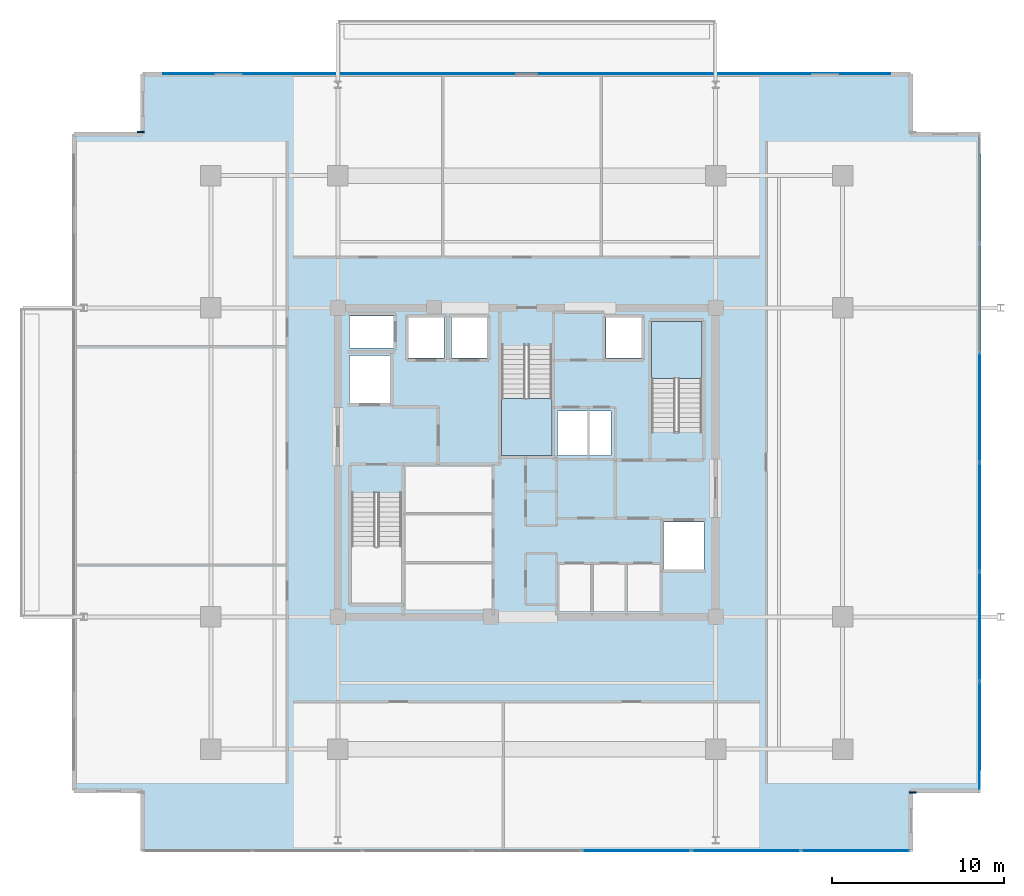
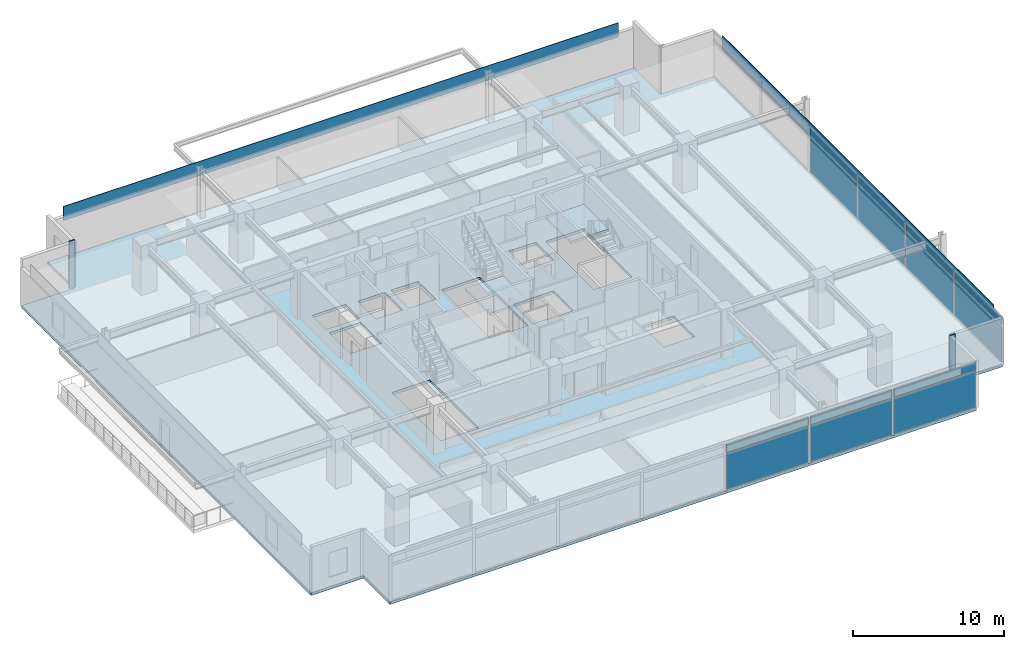
# One storey, part 13 of 21: 18 plates, 3 slabs, 4 elements without a shape of their own.
"""IFC4 building model written with IfcOpenShell, lengths in metres."""

from ifc_helpers import new_model, si_unit, direction, frame, origin, origin_2d, place, context, subcontext, project, spatial, polyline, rectangle, outline, extrude, material, layer, layer_set, type_object, element, aggregate, save


model = new_model("IFC4")

# Units and contexts
model_context = context("Model", 3, precision=1e-05, world=origin(), true_north=direction((0.0, 1.0)))
body_context = subcontext(model_context, "Body", "Model", "MODEL_VIEW")
ifc_project = project(units=[si_unit("LENGTHUNIT", "METRE"), si_unit("AREAUNIT", "SQUARE_METRE"), si_unit("VOLUMEUNIT", "CUBIC_METRE"), si_unit("PLANEANGLEUNIT", "RADIAN"), si_unit("MASSUNIT", "GRAM", prefix="KILO")], contexts=[model_context])

# Site, building, storey
site_placement = place(None, origin())
site = spatial("IfcSite", under=ifc_project, at=site_placement, CompositionType="ELEMENT")
building_placement = place(site_placement, origin())
building = spatial("IfcBuilding", under=site, at=building_placement, Name="Kovane Verandah Tower", CompositionType="ELEMENT")
storey_placement = place(building_placement, frame((0.0, 0.0, 247.199951171875)))
storey = spatial("IfcBuildingStorey", under=building, at=storey_placement, Name="L57", CompositionType="ELEMENT", Elevation=247.199951171875)

# Curtain wall, plates
ifc_material_1 = material(Name="Champagne Anodised Aluminium Frame with Low-E Clear Laminated Glass", Category="aluminium")
curtain_wall_type = type_object("IfcCurtainWallType", Name="CW-SYS-05-HIGH", PredefinedType="NOTDEFINED", material=ifc_material_1)
curtain_wall_1_placement = place(storey_placement, origin())
curtain_wall_1 = element("IfcCurtainWall", 1, at=curtain_wall_1_placement, inside=storey, type_object=curtain_wall_type, Name="L57 S Unitised Curtain Wall", PredefinedType="NOTDEFINED")
ifc_material_2 = material(Name="Pale Champagne Anodised Aluminium Insulated Spandrel", Category="aluminium")
ifc_layer_1 = layer(ifc_material_2, 0.0400390625)
ifc_layer_set_1 = layer_set([ifc_layer_1], Name="Pale Champagne Anodised Aluminium Insulated Spandrel")
plate_type_1 = type_object("IfcPlateType", Name="PL-CW-SPD-40", PredefinedType="SHEET", material=ifc_layer_set_1)
plate_1_placement = place(storey_placement, frame((46.390380859375, 4.8818359375, 3.05517578125), z_axis=(0.0, 0.0, 1.0), x_axis=(1.0, 0.0, 0.0)))
plate_1 = element("IfcPlate", 2, at=plate_1_placement, type_object=plate_type_1, Name="L57 S Unitised Curtain Wall Spandrel Panel 5", PredefinedType="SHEET", context=body_context, shape_type="SweptSolid", body=[
    extrude(rectangle(XDim=6.25048828125, YDim=0.0400390625, at=origin_2d()), origin(), (0.0, 0.0, 1.0), 0.639892578125),
])
plate_2_placement = place(storey_placement, frame((52.781005859375, 4.8818359375, 3.05517578125), z_axis=(0.0, 0.0, 1.0), x_axis=(1.0, 0.0, 0.0)))
plate_2 = element("IfcPlate", 3, at=plate_2_placement, type_object=plate_type_1, Name="L57 S Unitised Curtain Wall Spandrel Panel 6", PredefinedType="SHEET", context=body_context, shape_type="SweptSolid", body=[
    extrude(rectangle(XDim=6.25048828125, YDim=0.0400390625, at=origin_2d()), origin(), (0.0, 0.0, 1.0), 0.639892578125),
])
plate_3_placement = place(storey_placement, frame((59.17138671875, 4.8818359375, 3.05517578125), z_axis=(0.0, 0.0, 1.0), x_axis=(1.0, 0.0, 0.0)))
plate_3 = element("IfcPlate", 4, at=plate_3_placement, type_object=plate_type_1, Name="L57 S Unitised Curtain Wall Spandrel Panel 7", PredefinedType="SHEET", context=body_context, shape_type="SweptSolid", body=[
    extrude(rectangle(XDim=6.25048828125, YDim=0.0400390625, at=origin_2d()), origin(), (0.0, 0.0, 1.0), 0.639892578125),
])

curtain_wall_2_placement = place(storey_placement, origin())
curtain_wall_2 = element("IfcCurtainWall", 5, at=curtain_wall_2_placement, inside=storey, type_object=curtain_wall_type, Name="L57 E Unitised Curtain Wall", PredefinedType="NOTDEFINED")
plate_4_placement = place(storey_placement, frame((66.366455078125, 11.568115234375, 3.05517578125), z_axis=(0.0, 0.0, 1.0), x_axis=(0.0, 1.0, 0.0)))
plate_4 = element("IfcPlate", 6, at=plate_4_placement, type_object=plate_type_1, Name="L57 E Unitised Curtain Wall Spandrel Panel 1", PredefinedType="SHEET", context=body_context, shape_type="SweptSolid", body=[
    extrude(rectangle(XDim=6.232666015625, YDim=0.0400390625, at=origin_2d()), origin(), (0.0, 0.0, 1.0), 0.639892578125),
])
plate_5_placement = place(storey_placement, frame((66.366455078125, 17.94091796875, 3.05517578125), z_axis=(0.0, 0.0, 1.0), x_axis=(0.0, 1.0, 0.0)))
plate_5 = element("IfcPlate", 7, at=plate_5_placement, type_object=plate_type_1, Name="L57 E Unitised Curtain Wall Spandrel Panel 2", PredefinedType="SHEET", context=body_context, shape_type="SweptSolid", body=[
    extrude(rectangle(XDim=6.232666015625, YDim=0.0400390625, at=origin_2d()), origin(), (0.0, 0.0, 1.0), 0.639892578125),
])
plate_6_placement = place(storey_placement, frame((66.366455078125, 24.313720703125, 3.05517578125), z_axis=(0.0, 0.0, 1.0), x_axis=(0.0, 1.0, 0.0)))
plate_6 = element("IfcPlate", 8, at=plate_6_placement, type_object=plate_type_1, Name="L57 E Unitised Curtain Wall Spandrel Panel 3", PredefinedType="SHEET", context=body_context, shape_type="SweptSolid", body=[
    extrude(rectangle(XDim=6.232666015625, YDim=0.0400390625, at=origin_2d()), origin(), (0.0, 0.0, 1.0), 0.639892578125),
])
plate_7_placement = place(storey_placement, frame((66.366455078125, 30.686279296875, 3.05517578125), z_axis=(0.0, 0.0, 1.0), x_axis=(0.0, 1.0, 0.0)))
plate_7 = element("IfcPlate", 9, at=plate_7_placement, type_object=plate_type_1, Name="L57 E Unitised Curtain Wall Spandrel Panel 4", PredefinedType="SHEET", context=body_context, shape_type="SweptSolid", body=[
    extrude(rectangle(XDim=6.232666015625, YDim=0.0400390625, at=origin_2d()), origin(), (0.0, 0.0, 1.0), 0.639892578125),
])

# Plate
ifc_material_3 = material(Name="Clear Low-E Laminated Double Glazing", Category="glass")
ifc_layer_2 = layer(ifc_material_3, 0.031982421875)
ifc_layer_set_2 = layer_set([ifc_layer_2], Name="Clear Low-E Laminated Double Glazing")
plate_type_2 = type_object("IfcPlateType", Name="PL-CW-VIS-32", PredefinedType="CURTAIN_PANEL", material=ifc_layer_set_2)
plate_8_placement = place(storey_placement, frame((46.390380859375, 4.8818359375, 0.10009765625), z_axis=(0.0, 0.0, 1.0), x_axis=(1.0, 0.0, 0.0)))
plate_8 = element("IfcPlate", 10, at=plate_8_placement, type_object=plate_type_2, Name="L57 S Unitised Curtain Wall Vision Panel 5", PredefinedType="CURTAIN_PANEL", context=body_context, shape_type="SweptSolid", body=[
    extrude(rectangle(XDim=6.25048828125, YDim=0.031982421875, at=origin_2d()), origin(), (0.0, 0.0, 1.0), 2.85498046875),
])

plate_9_placement = place(storey_placement, frame((52.781005859375, 4.8818359375, 0.10009765625), z_axis=(0.0, 0.0, 1.0), x_axis=(1.0, 0.0, 0.0)))
plate_9 = element("IfcPlate", 11, at=plate_9_placement, type_object=plate_type_2, Name="L57 S Unitised Curtain Wall Vision Panel 6", PredefinedType="CURTAIN_PANEL", context=body_context, shape_type="SweptSolid", body=[
    extrude(rectangle(XDim=6.25048828125, YDim=0.031982421875, at=origin_2d()), origin(), (0.0, 0.0, 1.0), 2.85498046875),
])

plate_10_placement = place(storey_placement, frame((59.17138671875, 4.8818359375, 0.10009765625), z_axis=(0.0, 0.0, 1.0), x_axis=(1.0, 0.0, 0.0)))
plate_10 = element("IfcPlate", 12, at=plate_10_placement, type_object=plate_type_2, Name="L57 S Unitised Curtain Wall Vision Panel 7", PredefinedType="CURTAIN_PANEL", context=body_context, shape_type="SweptSolid", body=[
    extrude(rectangle(XDim=6.25048828125, YDim=0.031982421875, at=origin_2d()), origin(), (0.0, 0.0, 1.0), 2.85498046875),
])

aggregate(curtain_wall_1, [plate_8, plate_1, plate_9, plate_2, plate_10, plate_3])

plate_11_placement = place(storey_placement, frame((66.366455078125, 11.568115234375, 0.10009765625), z_axis=(0.0, 0.0, 1.0), x_axis=(0.0, 1.0, 0.0)))
plate_11 = element("IfcPlate", 13, at=plate_11_placement, type_object=plate_type_2, Name="L57 E Unitised Curtain Wall Vision Panel 1", PredefinedType="CURTAIN_PANEL", context=body_context, shape_type="SweptSolid", body=[
    extrude(rectangle(XDim=6.232666015625, YDim=0.031982421875, at=origin_2d()), origin(), (0.0, 0.0, 1.0), 2.85498046875),
])

plate_12_placement = place(storey_placement, frame((66.366455078125, 17.94091796875, 0.10009765625), z_axis=(0.0, 0.0, 1.0), x_axis=(0.0, 1.0, 0.0)))
plate_12 = element("IfcPlate", 14, at=plate_12_placement, type_object=plate_type_2, Name="L57 E Unitised Curtain Wall Vision Panel 2", PredefinedType="CURTAIN_PANEL", context=body_context, shape_type="SweptSolid", body=[
    extrude(rectangle(XDim=6.232666015625, YDim=0.031982421875, at=origin_2d()), origin(), (0.0, 0.0, 1.0), 2.85498046875),
])

plate_13_placement = place(storey_placement, frame((66.366455078125, 24.313720703125, 0.10009765625), z_axis=(0.0, 0.0, 1.0), x_axis=(0.0, 1.0, 0.0)))
plate_13 = element("IfcPlate", 15, at=plate_13_placement, type_object=plate_type_2, Name="L57 E Unitised Curtain Wall Vision Panel 3", PredefinedType="CURTAIN_PANEL", context=body_context, shape_type="SweptSolid", body=[
    extrude(rectangle(XDim=6.232666015625, YDim=0.031982421875, at=origin_2d()), origin(), (0.0, 0.0, 1.0), 2.85498046875),
])

plate_14_placement = place(storey_placement, frame((66.366455078125, 30.686279296875, 0.10009765625), z_axis=(0.0, 0.0, 1.0), x_axis=(0.0, 1.0, 0.0)))
plate_14 = element("IfcPlate", 16, at=plate_14_placement, type_object=plate_type_2, Name="L57 E Unitised Curtain Wall Vision Panel 4", PredefinedType="CURTAIN_PANEL", context=body_context, shape_type="SweptSolid", body=[
    extrude(rectangle(XDim=6.232666015625, YDim=0.031982421875, at=origin_2d()), origin(), (0.0, 0.0, 1.0), 2.85498046875),
])

aggregate(curtain_wall_2, [plate_11, plate_4, plate_12, plate_5, plate_13, plate_6, plate_14, plate_7])

# Plates
ifc_material_4 = material(Name="Timber-Toned Subtropical Aluminium Vertical Blade", Category="wood")
ifc_layer_3 = layer(ifc_material_4, 0.090087890625)
ifc_layer_set_3 = layer_set([ifc_layer_3], Name="Timber-Toned Subtropical Aluminium Vertical Blade")
plate_type_3 = type_object("IfcPlateType", Name="PL-FIN-90", PredefinedType="USERDEFINED", material=ifc_layer_set_3)
for number, where, z_axis, x_axis, name in (
    (17, (62.486572265625, 8.26171875, -0.02001953125), (0.0, 0.0, 1.0), (1.0, 0.0, 0.0), "L57 SE Timber-Toned Vertical Corner Fin"),
    (18, (17.513427734375, 46.73828125, -0.02001953125), (0.0, 0.0, 1.0), (1.0, 0.0, 0.0), "L57 NW Timber-Toned Vertical Corner Fin"),
):
    element("IfcPlate", number, at=place(storey_placement, frame(where, z_axis=z_axis, x_axis=x_axis)), inside=storey, type_object=plate_type_3, Name=name, ObjectType="FIN", PredefinedType="USERDEFINED", context=body_context, shape_type="SweptSolid", body=[
        extrude(rectangle(XDim=0.419921875, YDim=0.090087890625, at=origin_2d()), origin(), (0.0, 0.0, 1.0), 3.844970703125),
    ])
ifc_material_5 = material(Name="Perforated Pale Champagne Anodised Aluminium Solar Screen", Category="aluminium")
ifc_layer_4 = layer(ifc_material_5, 0.050048828125)
ifc_layer_set_4 = layer_set([ifc_layer_4], Name="Perforated Pale Champagne Anodised Aluminium Solar Screen")
plate_type_4 = type_object("IfcPlateType", Name="PL-SCREEN-50", PredefinedType="USERDEFINED", material=ifc_layer_set_4)
plate_15_placement = place(storey_placement, frame((66.381591796875, 27.5, 2.885009765625), z_axis=(0.0, 0.0, 1.0), x_axis=(0.0, 1.0, 0.0)))
element("IfcPlate", 19, at=plate_15_placement, inside=storey, type_object=plate_type_4, Name="L57 E Perforated Champagne-Gold Solar Screen", ObjectType="SCREEN", PredefinedType="USERDEFINED", context=body_context, shape_type="SweptSolid", body=[
    extrude(rectangle(XDim=35.8359375, YDim=0.050048828125, at=origin_2d()), origin(), (0.0, 0.0, 1.0), 1.14990234375),
])
plate_16_placement = place(storey_placement, frame((40.0, 50.13330078125, 2.885009765625), z_axis=(0.0, 0.0, 1.0), x_axis=(-1.0, 0.0, 0.0)))
element("IfcPlate", 20, at=plate_16_placement, inside=storey, type_object=plate_type_4, Name="L57 N Perforated Champagne-Gold Solar Screen", ObjectType="SCREEN", PredefinedType="USERDEFINED", context=body_context, shape_type="SweptSolid", body=[
    extrude(rectangle(XDim=42.3330078125, YDim=0.050048828125, at=origin_2d()), origin(), (0.0, 0.0, 1.0), 1.14990234375),
])

# Slab
ifc_material_6 = material(Name="Concrete C45/55", Category="concrete")
ifc_layer_5 = layer(ifc_material_6, 0.215087890625)
ifc_layer_set_5 = layer_set([ifc_layer_5], Name="Concrete C45/55")
slab_type_1 = type_object("IfcSlabType", Name="SL-HIGH-215", PredefinedType="FLOOR", material=ifc_layer_set_5)
slab_1_placement = place(storey_placement, frame((0.0, 0.0, -0.21484375)))
element("IfcSlab", 21, at=slab_1_placement, inside=storey, type_object=slab_type_1, Name="L57 Structural Floor Slab", PredefinedType="FLOOR", context=body_context, shape_type="SweptSolid", body=[
    extrude(outline(polyline([(17.633544921875, 4.8818359375), (62.366455078125, 4.8818359375), (62.366455078125, 8.3818359375), (66.366455078125, 8.3818359375), (66.366455078125, 46.6181640625), (62.366455078125, 46.6181640625), (62.366455078125, 50.1181640625), (17.633544921875, 50.1181640625), (17.633544921875, 46.6181640625), (13.633544921875, 46.6181640625), (13.633544921875, 8.3818359375), (17.633544921875, 8.3818359375), (17.633544921875, 4.8818359375)]), holes=[polyline([(29.800048828125, 19.300048828125), (32.719970703125, 19.300048828125), (32.719970703125, 25.705078125), (29.800048828125, 25.705078125), (29.800048828125, 19.300048828125)]), polyline([(47.280029296875, 29.294921875), (50.199951171875, 29.294921875), (50.199951171875, 35.699951171875), (47.280029296875, 35.699951171875), (47.280029296875, 29.294921875)]), polyline([(38.5400390625, 27.89990234375), (41.4599609375, 27.89990234375), (41.4599609375, 34.304931640625), (38.5400390625, 34.304931640625), (38.5400390625, 27.89990234375)]), polyline([(29.669921875, 30.969970703125), (32.030029296875, 30.969970703125), (32.030029296875, 33.72998046875), (29.669921875, 33.72998046875), (29.669921875, 30.969970703125)]), polyline([(47.969970703125, 21.27001953125), (50.330078125, 21.27001953125), (50.330078125, 24.030029296875), (47.969970703125, 24.030029296875), (47.969970703125, 21.27001953125)]), polyline([(29.669921875, 34.169921875), (32.22998046875, 34.169921875), (32.22998046875, 36.030029296875), (29.669921875, 36.030029296875), (29.669921875, 34.169921875)]), polyline([(33.1201171875, 33.570068359375), (35.179931640625, 33.570068359375), (35.179931640625, 35.929931640625), (33.1201171875, 35.929931640625), (33.1201171875, 33.570068359375)]), polyline([(35.6201171875, 33.570068359375), (37.679931640625, 33.570068359375), (37.679931640625, 35.929931640625), (35.6201171875, 35.929931640625), (35.6201171875, 33.570068359375)]), polyline([(44.6201171875, 33.570068359375), (46.679931640625, 33.570068359375), (46.679931640625, 35.929931640625), (44.6201171875, 35.929931640625), (44.6201171875, 33.570068359375)]), polyline([(41.800048828125, 27.89990234375), (44.89990234375, 27.89990234375), (44.89990234375, 30.5), (41.800048828125, 30.5), (41.800048828125, 27.89990234375)])]), origin(), (0.0, 0.0, 1.0), 0.21484375),
])

# Stair, slab
stair_type = type_object("IfcStairType", Name="ST-CORE-1380", PredefinedType="HALF_TURN_STAIR", material=ifc_material_6)
stair_1_placement = place(storey_placement, origin())
stair_1 = element("IfcStair", 22, at=stair_1_placement, inside=storey, type_object=stair_type, Name="L57 Exit Stair ST-02", PredefinedType="HALF_TURN_STAIR")
ifc_layer_6 = layer(ifc_material_6, 0.199951171875)
ifc_layer_set_6 = layer_set([ifc_layer_6], Name="Concrete C45/55")
slab_type_2 = type_object("IfcSlabType", Name="SL-LAND-200", PredefinedType="LANDING", material=ifc_layer_set_6)
slab_2_placement = place(storey_placement, frame((0.0, 0.0, 1.800048828125)))
slab_2 = element("IfcSlab", 23, at=slab_2_placement, type_object=slab_type_2, Name="ST-02 landing 1", PredefinedType="LANDING", context=body_context, shape_type="SweptSolid", body=[
    extrude(outline(polyline([(50.199951171875, 32.385009765625), (50.199951171875, 35.699951171875), (47.280029296875, 35.699951171875), (47.280029296875, 32.385009765625), (50.199951171875, 32.385009765625)])), origin(), (0.0, 0.0, 1.0), 0.199951171875),
])
aggregate(stair_1, [slab_2])

stair_2_placement = place(storey_placement, origin())
stair_2 = element("IfcStair", 24, at=stair_2_placement, inside=storey, type_object=stair_type, Name="L57 Exit Stair ST-03", PredefinedType="HALF_TURN_STAIR")
slab_3_placement = place(storey_placement, frame((0.0, 0.0, 1.800048828125)))
slab_3 = element("IfcSlab", 25, at=slab_3_placement, type_object=slab_type_2, Name="ST-03 landing 1", PredefinedType="LANDING", context=body_context, shape_type="SweptSolid", body=[
    extrude(outline(polyline([(38.5400390625, 31.215087890625), (38.5400390625, 27.89990234375), (41.4599609375, 27.89990234375), (41.4599609375, 31.215087890625), (38.5400390625, 31.215087890625)])), origin(), (0.0, 0.0, 1.0), 0.199951171875),
])
aggregate(stair_2, [slab_3])

save(model, "model.ifc")
